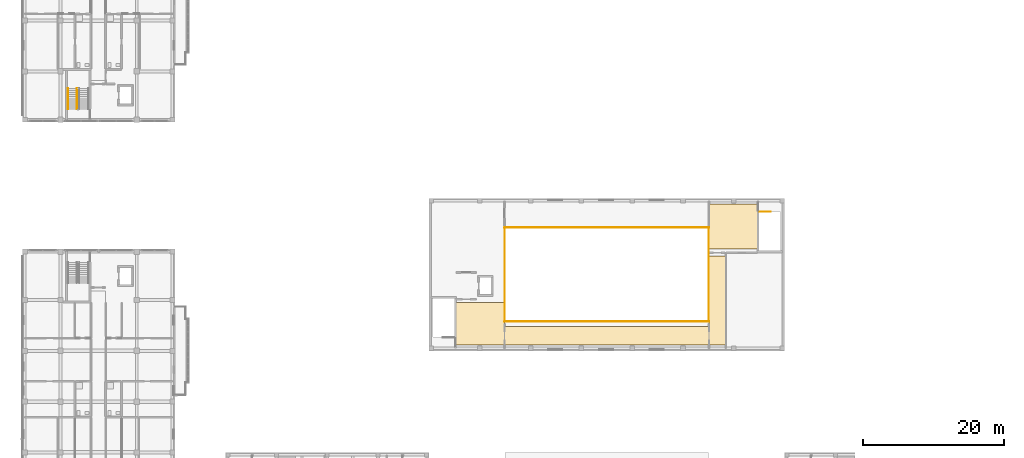
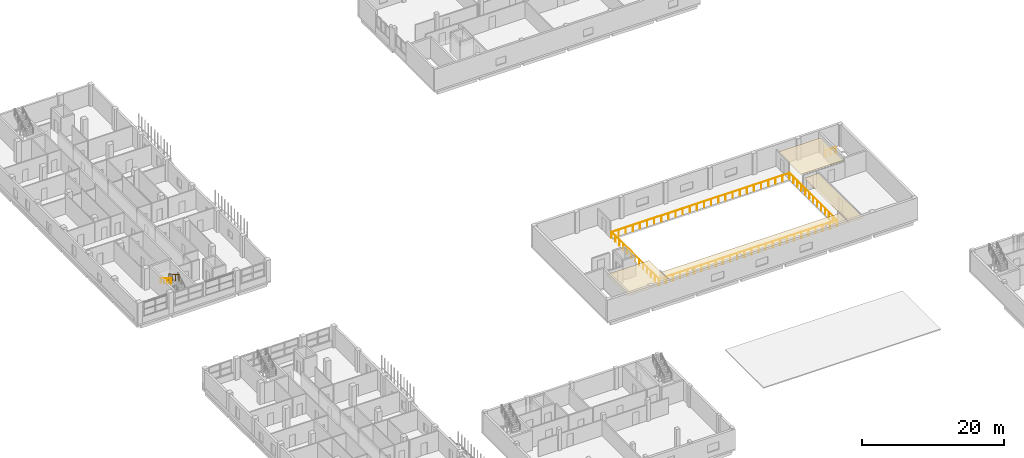
# One storey, part 62 of 73: 7 railings, 4 coverings.
"""IFC4 building model written with IfcOpenShell, lengths in metres."""

from ifc_helpers import new_model, si_unit, derived_unit, direction, frame, origin, origin_2d, place, context, subcontext, project, spatial, polyline, circle, outline, extrude, material, layer, layer_set, type_object, element, save


model = new_model("IFC4")

# Units and contexts
model_context = context("Model", 3, precision=1e-05, world=origin(), true_north=direction((0.0, 1.0)))
body_context = subcontext(model_context, "Body", "Model", "MODEL_VIEW")
ifc_project = project(units=[si_unit("LENGTHUNIT", "METRE"), si_unit("AREAUNIT", "SQUARE_METRE"), si_unit("VOLUMEUNIT", "CUBIC_METRE"), si_unit("PLANEANGLEUNIT", "RADIAN"), si_unit("MASSUNIT", "GRAM", prefix="KILO"), derived_unit("THERMALTRANSMITTANCEUNIT", [(si_unit("MASSUNIT", "GRAM", prefix="KILO"), 1), (si_unit("TIMEUNIT", "SECOND"), -3), (si_unit("THERMODYNAMICTEMPERATUREUNIT", "KELVIN"), -1)])], contexts=[model_context])

# Site, building, storey
site_placement = place(None, origin())
site = spatial("IfcSite", under=ifc_project, at=site_placement, CompositionType="ELEMENT")
building_placement = place(site_placement, origin())
building = spatial("IfcBuilding", under=site, at=building_placement, Name="Ochrekiln Boulevard Commons", CompositionType="ELEMENT")
storey_placement = place(building_placement, frame((0.0, 0.0, 4.89990234375)))
storey = spatial("IfcBuildingStorey", under=building, at=storey_placement, Name="L01", CompositionType="ELEMENT", Elevation=4.89990234375)

# Coverings
ifc_material_1 = material(Name="Mineral-fibre acoustic ceiling tile")
ifc_layer = layer(ifc_material_1, 0.02490234375)
ifc_layer_set = layer_set([ifc_layer], Name="Mineral-fibre acoustic ceiling tile")
covering_type = type_object("IfcCoveringType", Name="COV-CEIL-AC", PredefinedType="CEILING", material=ifc_layer_set)
covering_1_placement = place(storey_placement, frame((0.0, 0.0, 2.650146484375)))
element("IfcCovering", 1, at=covering_1_placement, inside=storey, type_object=covering_type, Name="L01 Acoustic Corridor Ceiling 21", PredefinedType="CEILING", context=body_context, shape_type="SweptSolid", body=[
    extrude(outline(polyline([(61.3701171875, 36.800048828125), (68.300048828125, 36.800048828125), (68.300048828125, 42.820068359375), (61.3701171875, 42.820068359375), (61.3701171875, 36.800048828125)])), origin(), (0.0, 0.0, 1.0), 0.02490234375),
])
covering_2_placement = place(storey_placement, frame((0.0, 0.0, 2.650146484375)))
element("IfcCovering", 2, at=covering_2_placement, inside=storey, type_object=covering_type, Name="L01 Acoustic Corridor Ceiling 22", PredefinedType="CEILING", context=body_context, shape_type="SweptSolid", body=[
    extrude(outline(polyline([(68.320068359375, 36.800048828125), (97.280029296875, 36.800048828125), (97.280029296875, 39.449951171875), (68.320068359375, 39.449951171875), (68.320068359375, 36.800048828125)])), origin(), (0.0, 0.0, 1.0), 0.02490234375),
])
covering_3_placement = place(storey_placement, frame((0.0, 0.0, 2.650146484375)))
element("IfcCovering", 3, at=covering_3_placement, inside=storey, type_object=covering_type, Name="L01 Acoustic Corridor Ceiling 23", PredefinedType="CEILING", context=body_context, shape_type="SweptSolid", body=[
    extrude(outline(polyline([(97.300048828125, 50.39990234375), (104.22998046875, 50.39990234375), (104.22998046875, 56.800048828125), (97.300048828125, 56.800048828125), (97.300048828125, 50.39990234375)])), origin(), (0.0, 0.0, 1.0), 0.02490234375),
])
covering_4_placement = place(storey_placement, frame((0.0, 0.0, 2.650146484375)))
element("IfcCovering", 4, at=covering_4_placement, inside=storey, type_object=covering_type, Name="L01 Acoustic Corridor Ceiling 24", PredefinedType="CEILING", context=body_context, shape_type="SweptSolid", body=[
    extrude(outline(polyline([(97.300048828125, 36.800048828125), (99.6298828125, 36.800048828125), (99.6298828125, 49.419921875), (97.300048828125, 49.419921875), (97.300048828125, 36.800048828125)])), origin(), (0.0, 0.0, 1.0), 0.02490234375),
])

# Railings
ifc_material_2 = material(Name="Brushed stainless steel 316 tubular railing", Category="steel")
railing_type_1 = type_object("IfcRailingType", Name="RLG-HDR-900", PredefinedType="HANDRAIL", material=ifc_material_2)
railing_1_placement = place(storey_placement, frame((6.449951171875, 73.169921875, 2.004638671875)))
element("IfcRailing", 5, at=railing_1_placement, inside=storey, type_object=railing_type_1, Name="L01 ST-A1 stair handrail 2", PredefinedType="HANDRAIL", context=body_context, shape_type="SweptSolid", body=[
    extrude(circle(Radius=0.02392578125, at=origin_2d()), frame((0.0, 0.0, 0.8759765625), z_axis=(0.0, -0.866523023801, 0.499137104634), x_axis=(1.0, 0.0, 0.0)), (0.0, 0.0, 1.0), 3.3466796875),
    extrude(circle(Radius=0.02099609375, at=origin_2d()), origin(), (0.0, 0.0, 1.0), 0.851806640625),
    extrude(circle(Radius=0.02099609375, at=origin_2d()), frame((0.0, -0.966552734375, 0.556884765625)), (0.0, 0.0, 1.0), 0.851806640625),
    extrude(circle(Radius=0.02099609375, at=origin_2d()), frame((0.0, -1.933349609375, 1.113525390625)), (0.0, 0.0, 1.0), 0.851806640625),
    extrude(circle(Radius=0.02099609375, at=origin_2d()), frame((0.0, -2.89990234375, 1.67041015625)), (0.0, 0.0, 1.0), 0.851806640625),
])
railing_type_2 = type_object("IfcRailingType", Name="RLG-STR-1120", PredefinedType="BALUSTRADE", material=ifc_material_2)
railing_2_placement = place(storey_placement, frame((7.75, 73.169921875, 2.004638671875)))
element("IfcRailing", 6, at=railing_2_placement, inside=storey, type_object=railing_type_2, Name="L01 ST-A1 stair guard 3", PredefinedType="BALUSTRADE", context=body_context, shape_type="SweptSolid", body=[
    extrude(circle(Radius=0.02392578125, at=origin_2d()), frame((0.0, 0.0, 1.09619140625), z_axis=(0.0, -0.866523023801, 0.499137104634), x_axis=(1.0, 0.0, 0.0)), (0.0, 0.0, 1.0), 3.3466796875),
    extrude(circle(Radius=0.02099609375, at=origin_2d()), origin(), (0.0, 0.0, 1.0), 1.072021484375),
    extrude(circle(Radius=0.02099609375, at=origin_2d()), frame((0.0, -0.966552734375, 0.556884765625)), (0.0, 0.0, 1.0), 1.072021484375),
    extrude(circle(Radius=0.02099609375, at=origin_2d()), frame((0.0, -1.933349609375, 1.113525390625)), (0.0, 0.0, 1.0), 1.072021484375),
    extrude(circle(Radius=0.02099609375, at=origin_2d()), frame((0.0, -2.89990234375, 1.67041015625)), (0.0, 0.0, 1.0), 1.072021484375),
])
railing_3_placement = place(storey_placement, frame((104.39990234375, 55.699951171875, 0.0)))
element("IfcRailing", 7, at=railing_3_placement, inside=storey, type_object=railing_type_2, Name="L01 ST-H2 top well guard 1", PredefinedType="BALUSTRADE", context=body_context, shape_type="SweptSolid", body=[
    extrude(circle(Radius=0.02392578125, at=origin_2d()), frame((0.0, 0.0, 1.09619140625), z_axis=(1.0, 0.0, 0.0), x_axis=(0.0, 1.0, 0.0)), (0.0, 0.0, 1.0), 1.60009765625),
    extrude(circle(Radius=0.02099609375, at=origin_2d()), origin(), (0.0, 0.0, 1.0), 1.072021484375),
    extrude(circle(Radius=0.02099609375, at=origin_2d()), frame((0.800048828125, 0.0, 0.0)), (0.0, 0.0, 1.0), 1.072021484375),
    extrude(circle(Radius=0.02099609375, at=origin_2d()), frame((1.60009765625, 0.0, 0.0)), (0.0, 0.0, 1.0), 1.072021484375),
])
ifc_material_3 = material(Name="Bronze-anodized extruded aluminium 6063-T6", Category="aluminium")
railing_type_3 = type_object("IfcRailingType", Name="RLG-VOID-1100", PredefinedType="BALUSTRADE", material=ifc_material_3)
railing_4_placement = place(storey_placement, frame((68.320068359375, 40.139892578125, 0.0)))
element("IfcRailing", 8, at=railing_4_placement, inside=storey, type_object=railing_type_3, Name="Community Hall L01 Mezzanine Gallery Void Guard SG-110 (S)", PredefinedType="BALUSTRADE", context=body_context, shape_type="SweptSolid", body=[
    extrude(circle(Radius=0.02392578125, at=origin_2d()), frame((0.0, 0.0, 1.076171875), z_axis=(1.0, 0.0, 0.0), x_axis=(0.0, 1.0, 0.0)), (0.0, 0.0, 1.0), 28.9599609375),
    extrude(circle(Radius=0.02099609375, at=origin_2d()), origin(), (0.0, 0.0, 1.0), 1.052001953125),
    extrude(circle(Radius=0.02099609375, at=origin_2d()), frame((1.158447265625, 0.0, 0.0)), (0.0, 0.0, 1.0), 1.052001953125),
    extrude(circle(Radius=0.02099609375, at=origin_2d()), frame((2.31689453125, 0.0, 0.0)), (0.0, 0.0, 1.0), 1.052001953125),
    extrude(circle(Radius=0.02099609375, at=origin_2d()), frame((3.47509765625, 0.0, 0.0)), (0.0, 0.0, 1.0), 1.052001953125),
    extrude(circle(Radius=0.02099609375, at=origin_2d()), frame((4.633544921875, 0.0, 0.0)), (0.0, 0.0, 1.0), 1.052001953125),
    extrude(circle(Radius=0.02099609375, at=origin_2d()), frame((5.7919921875, 0.0, 0.0)), (0.0, 0.0, 1.0), 1.052001953125),
    extrude(circle(Radius=0.02099609375, at=origin_2d()), frame((6.950439453125, 0.0, 0.0)), (0.0, 0.0, 1.0), 1.052001953125),
    extrude(circle(Radius=0.02099609375, at=origin_2d()), frame((8.10888671875, 0.0, 0.0)), (0.0, 0.0, 1.0), 1.052001953125),
    extrude(circle(Radius=0.02099609375, at=origin_2d()), frame((9.26708984375, 0.0, 0.0)), (0.0, 0.0, 1.0), 1.052001953125),
    extrude(circle(Radius=0.02099609375, at=origin_2d()), frame((10.425537109375, 0.0, 0.0)), (0.0, 0.0, 1.0), 1.052001953125),
    extrude(circle(Radius=0.02099609375, at=origin_2d()), frame((11.583984375, 0.0, 0.0)), (0.0, 0.0, 1.0), 1.052001953125),
    extrude(circle(Radius=0.02099609375, at=origin_2d()), frame((12.742431640625, 0.0, 0.0)), (0.0, 0.0, 1.0), 1.052001953125),
    extrude(circle(Radius=0.02099609375, at=origin_2d()), frame((13.90087890625, 0.0, 0.0)), (0.0, 0.0, 1.0), 1.052001953125),
    extrude(circle(Radius=0.02099609375, at=origin_2d()), frame((15.05908203125, 0.0, 0.0)), (0.0, 0.0, 1.0), 1.052001953125),
    extrude(circle(Radius=0.02099609375, at=origin_2d()), frame((16.217529296875, 0.0, 0.0)), (0.0, 0.0, 1.0), 1.052001953125),
    extrude(circle(Radius=0.02099609375, at=origin_2d()), frame((17.3759765625, 0.0, 0.0)), (0.0, 0.0, 1.0), 1.052001953125),
    extrude(circle(Radius=0.02099609375, at=origin_2d()), frame((18.534423828125, 0.0, 0.0)), (0.0, 0.0, 1.0), 1.052001953125),
    extrude(circle(Radius=0.02099609375, at=origin_2d()), frame((19.69287109375, 0.0, 0.0)), (0.0, 0.0, 1.0), 1.052001953125),
    extrude(circle(Radius=0.02099609375, at=origin_2d()), frame((20.85107421875, 0.0, 0.0)), (0.0, 0.0, 1.0), 1.052001953125),
    extrude(circle(Radius=0.02099609375, at=origin_2d()), frame((22.009521484375, 0.0, 0.0)), (0.0, 0.0, 1.0), 1.052001953125),
    extrude(circle(Radius=0.02099609375, at=origin_2d()), frame((23.16796875, 0.0, 0.0)), (0.0, 0.0, 1.0), 1.052001953125),
    extrude(circle(Radius=0.02099609375, at=origin_2d()), frame((24.326416015625, 0.0, 0.0)), (0.0, 0.0, 1.0), 1.052001953125),
    extrude(circle(Radius=0.02099609375, at=origin_2d()), frame((25.48486328125, 0.0, 0.0)), (0.0, 0.0, 1.0), 1.052001953125),
    extrude(circle(Radius=0.02099609375, at=origin_2d()), frame((26.64306640625, 0.0, 0.0)), (0.0, 0.0, 1.0), 1.052001953125),
    extrude(circle(Radius=0.02099609375, at=origin_2d()), frame((27.801513671875, 0.0, 0.0)), (0.0, 0.0, 1.0), 1.052001953125),
    extrude(circle(Radius=0.02099609375, at=origin_2d()), frame((28.9599609375, 0.0, 0.0)), (0.0, 0.0, 1.0), 1.052001953125),
])
railing_5_placement = place(storey_placement, frame((97.260009765625, 40.1201171875, 0.0)))
element("IfcRailing", 9, at=railing_5_placement, inside=storey, type_object=railing_type_3, Name="Community Hall L01 Mezzanine Gallery Void Guard SG-110 (E)", PredefinedType="BALUSTRADE", context=body_context, shape_type="SweptSolid", body=[
    extrude(circle(Radius=0.02392578125, at=origin_2d()), frame((0.0, 0.0, 1.076171875), z_axis=(0.0, 1.0, 0.0), x_axis=(-1.0, 0.0, 0.0)), (0.0, 0.0, 1.0), 13.35986328125),
    extrude(circle(Radius=0.02099609375, at=origin_2d()), origin(), (0.0, 0.0, 1.0), 1.052001953125),
    extrude(circle(Radius=0.02099609375, at=origin_2d()), frame((0.0, 1.11328125, 0.0)), (0.0, 0.0, 1.0), 1.052001953125),
    extrude(circle(Radius=0.02099609375, at=origin_2d()), frame((0.0, 2.2265625, 0.0)), (0.0, 0.0, 1.0), 1.052001953125),
    extrude(circle(Radius=0.02099609375, at=origin_2d()), frame((0.0, 3.33984375, 0.0)), (0.0, 0.0, 1.0), 1.052001953125),
    extrude(circle(Radius=0.02099609375, at=origin_2d()), frame((0.0, 4.453369140625, 0.0)), (0.0, 0.0, 1.0), 1.052001953125),
    extrude(circle(Radius=0.02099609375, at=origin_2d()), frame((0.0, 5.566650390625, 0.0)), (0.0, 0.0, 1.0), 1.052001953125),
    extrude(circle(Radius=0.02099609375, at=origin_2d()), frame((0.0, 6.679931640625, 0.0)), (0.0, 0.0, 1.0), 1.052001953125),
    extrude(circle(Radius=0.02099609375, at=origin_2d()), frame((0.0, 7.793212890625, 0.0)), (0.0, 0.0, 1.0), 1.052001953125),
    extrude(circle(Radius=0.02099609375, at=origin_2d()), frame((0.0, 8.906494140625, 0.0)), (0.0, 0.0, 1.0), 1.052001953125),
    extrude(circle(Radius=0.02099609375, at=origin_2d()), frame((0.0, 10.02001953125, 0.0)), (0.0, 0.0, 1.0), 1.052001953125),
    extrude(circle(Radius=0.02099609375, at=origin_2d()), frame((0.0, 11.13330078125, 0.0)), (0.0, 0.0, 1.0), 1.052001953125),
    extrude(circle(Radius=0.02099609375, at=origin_2d()), frame((0.0, 12.24658203125, 0.0)), (0.0, 0.0, 1.0), 1.052001953125),
    extrude(circle(Radius=0.02099609375, at=origin_2d()), frame((0.0, 13.35986328125, 0.0)), (0.0, 0.0, 1.0), 1.052001953125),
])
railing_6_placement = place(storey_placement, frame((97.280029296875, 53.4599609375, 0.0)))
element("IfcRailing", 10, at=railing_6_placement, inside=storey, type_object=railing_type_3, Name="Community Hall L01 Mezzanine Gallery Void Guard SG-110 (N)", PredefinedType="BALUSTRADE", context=body_context, shape_type="SweptSolid", body=[
    extrude(circle(Radius=0.02392578125, at=origin_2d()), frame((0.0, 0.0, 1.076171875), z_axis=(-1.0, 0.0, 0.0), x_axis=(0.0, -1.0, 0.0)), (0.0, 0.0, 1.0), 28.9599609375),
    extrude(circle(Radius=0.02099609375, at=origin_2d()), origin(), (0.0, 0.0, 1.0), 1.052001953125),
    extrude(circle(Radius=0.02099609375, at=origin_2d()), frame((-1.158447265625, 0.0, 0.0)), (0.0, 0.0, 1.0), 1.052001953125),
    extrude(circle(Radius=0.02099609375, at=origin_2d()), frame((-2.31689453125, 0.0, 0.0)), (0.0, 0.0, 1.0), 1.052001953125),
    extrude(circle(Radius=0.02099609375, at=origin_2d()), frame((-3.47509765625, 0.0, 0.0)), (0.0, 0.0, 1.0), 1.052001953125),
    extrude(circle(Radius=0.02099609375, at=origin_2d()), frame((-4.633544921875, 0.0, 0.0)), (0.0, 0.0, 1.0), 1.052001953125),
    extrude(circle(Radius=0.02099609375, at=origin_2d()), frame((-5.7919921875, 0.0, 0.0)), (0.0, 0.0, 1.0), 1.052001953125),
    extrude(circle(Radius=0.02099609375, at=origin_2d()), frame((-6.950439453125, 0.0, 0.0)), (0.0, 0.0, 1.0), 1.052001953125),
    extrude(circle(Radius=0.02099609375, at=origin_2d()), frame((-8.10888671875, 0.0, 0.0)), (0.0, 0.0, 1.0), 1.052001953125),
    extrude(circle(Radius=0.02099609375, at=origin_2d()), frame((-9.26708984375, 0.0, 0.0)), (0.0, 0.0, 1.0), 1.052001953125),
    extrude(circle(Radius=0.02099609375, at=origin_2d()), frame((-10.425537109375, 0.0, 0.0)), (0.0, 0.0, 1.0), 1.052001953125),
    extrude(circle(Radius=0.02099609375, at=origin_2d()), frame((-11.583984375, 0.0, 0.0)), (0.0, 0.0, 1.0), 1.052001953125),
    extrude(circle(Radius=0.02099609375, at=origin_2d()), frame((-12.742431640625, 0.0, 0.0)), (0.0, 0.0, 1.0), 1.052001953125),
    extrude(circle(Radius=0.02099609375, at=origin_2d()), frame((-13.90087890625, 0.0, 0.0)), (0.0, 0.0, 1.0), 1.052001953125),
    extrude(circle(Radius=0.02099609375, at=origin_2d()), frame((-15.05908203125, 0.0, 0.0)), (0.0, 0.0, 1.0), 1.052001953125),
    extrude(circle(Radius=0.02099609375, at=origin_2d()), frame((-16.217529296875, 0.0, 0.0)), (0.0, 0.0, 1.0), 1.052001953125),
    extrude(circle(Radius=0.02099609375, at=origin_2d()), frame((-17.3759765625, 0.0, 0.0)), (0.0, 0.0, 1.0), 1.052001953125),
    extrude(circle(Radius=0.02099609375, at=origin_2d()), frame((-18.534423828125, 0.0, 0.0)), (0.0, 0.0, 1.0), 1.052001953125),
    extrude(circle(Radius=0.02099609375, at=origin_2d()), frame((-19.69287109375, 0.0, 0.0)), (0.0, 0.0, 1.0), 1.052001953125),
    extrude(circle(Radius=0.02099609375, at=origin_2d()), frame((-20.85107421875, 0.0, 0.0)), (0.0, 0.0, 1.0), 1.052001953125),
    extrude(circle(Radius=0.02099609375, at=origin_2d()), frame((-22.009521484375, 0.0, 0.0)), (0.0, 0.0, 1.0), 1.052001953125),
    extrude(circle(Radius=0.02099609375, at=origin_2d()), frame((-23.16796875, 0.0, 0.0)), (0.0, 0.0, 1.0), 1.052001953125),
    extrude(circle(Radius=0.02099609375, at=origin_2d()), frame((-24.326416015625, 0.0, 0.0)), (0.0, 0.0, 1.0), 1.052001953125),
    extrude(circle(Radius=0.02099609375, at=origin_2d()), frame((-25.48486328125, 0.0, 0.0)), (0.0, 0.0, 1.0), 1.052001953125),
    extrude(circle(Radius=0.02099609375, at=origin_2d()), frame((-26.64306640625, 0.0, 0.0)), (0.0, 0.0, 1.0), 1.052001953125),
    extrude(circle(Radius=0.02099609375, at=origin_2d()), frame((-27.801513671875, 0.0, 0.0)), (0.0, 0.0, 1.0), 1.052001953125),
    extrude(circle(Radius=0.02099609375, at=origin_2d()), frame((-28.9599609375, 0.0, 0.0)), (0.0, 0.0, 1.0), 1.052001953125),
])
railing_7_placement = place(storey_placement, frame((68.340087890625, 53.47998046875, 0.0)))
element("IfcRailing", 11, at=railing_7_placement, inside=storey, type_object=railing_type_3, Name="Community Hall L01 Mezzanine Gallery Void Guard SG-110 (W)", PredefinedType="BALUSTRADE", context=body_context, shape_type="SweptSolid", body=[
    extrude(circle(Radius=0.02392578125, at=origin_2d()), frame((0.0, 0.0, 1.076171875), z_axis=(0.0, -1.0, 0.0), x_axis=(1.0, 0.0, 0.0)), (0.0, 0.0, 1.0), 13.35986328125),
    extrude(circle(Radius=0.02099609375, at=origin_2d()), origin(), (0.0, 0.0, 1.0), 1.052001953125),
    extrude(circle(Radius=0.02099609375, at=origin_2d()), frame((0.0, -1.11328125, 0.0)), (0.0, 0.0, 1.0), 1.052001953125),
    extrude(circle(Radius=0.02099609375, at=origin_2d()), frame((0.0, -2.2265625, 0.0)), (0.0, 0.0, 1.0), 1.052001953125),
    extrude(circle(Radius=0.02099609375, at=origin_2d()), frame((0.0, -3.33984375, 0.0)), (0.0, 0.0, 1.0), 1.052001953125),
    extrude(circle(Radius=0.02099609375, at=origin_2d()), frame((0.0, -4.453369140625, 0.0)), (0.0, 0.0, 1.0), 1.052001953125),
    extrude(circle(Radius=0.02099609375, at=origin_2d()), frame((0.0, -5.566650390625, 0.0)), (0.0, 0.0, 1.0), 1.052001953125),
    extrude(circle(Radius=0.02099609375, at=origin_2d()), frame((0.0, -6.679931640625, 0.0)), (0.0, 0.0, 1.0), 1.052001953125),
    extrude(circle(Radius=0.02099609375, at=origin_2d()), frame((0.0, -7.793212890625, 0.0)), (0.0, 0.0, 1.0), 1.052001953125),
    extrude(circle(Radius=0.02099609375, at=origin_2d()), frame((0.0, -8.906494140625, 0.0)), (0.0, 0.0, 1.0), 1.052001953125),
    extrude(circle(Radius=0.02099609375, at=origin_2d()), frame((0.0, -10.02001953125, 0.0)), (0.0, 0.0, 1.0), 1.052001953125),
    extrude(circle(Radius=0.02099609375, at=origin_2d()), frame((0.0, -11.13330078125, 0.0)), (0.0, 0.0, 1.0), 1.052001953125),
    extrude(circle(Radius=0.02099609375, at=origin_2d()), frame((0.0, -12.24658203125, 0.0)), (0.0, 0.0, 1.0), 1.052001953125),
    extrude(circle(Radius=0.02099609375, at=origin_2d()), frame((0.0, -13.35986328125, 0.0)), (0.0, 0.0, 1.0), 1.052001953125),
])

save(model, "model.ifc")
